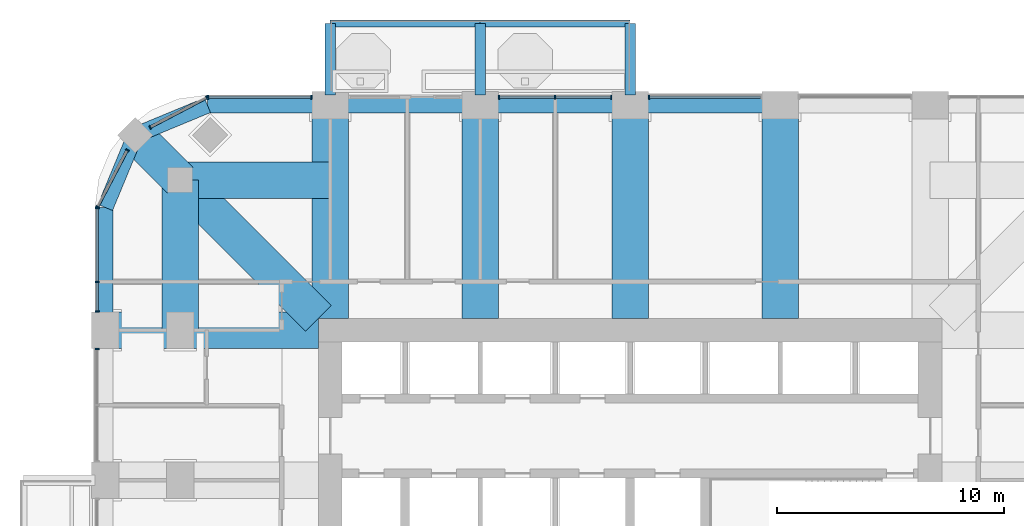
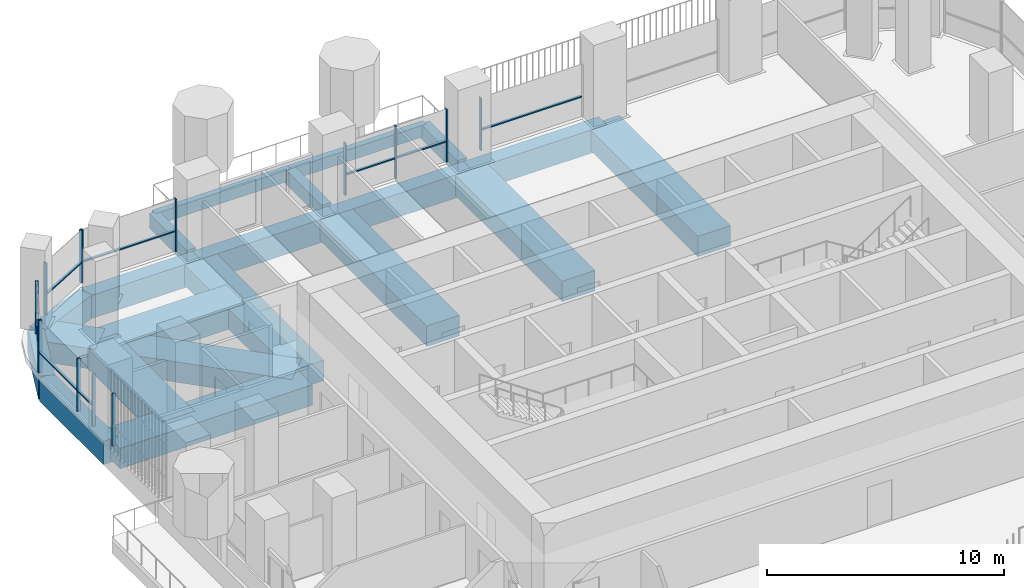
# One storey, part 6 of 20: 22 members, 21 beams, 7 elements without a shape of their own.
"""IFC4 building model written with IfcOpenShell, lengths in metres."""

from ifc_helpers import new_model, si_unit, direction, frame, origin, origin_2d, place, context, subcontext, project, spatial, rectangle, extrude, material, material_profile, profile_set, type_object, element, aggregate, save


model = new_model("IFC4")

# Units and contexts
model_context = context("Model", 3, precision=1e-05, world=origin(), true_north=direction((0.0, 1.0)))
body_context = subcontext(model_context, "Body", "Model", "MODEL_VIEW")
ifc_project = project(units=[si_unit("LENGTHUNIT", "METRE"), si_unit("AREAUNIT", "SQUARE_METRE"), si_unit("VOLUMEUNIT", "CUBIC_METRE"), si_unit("PLANEANGLEUNIT", "RADIAN"), si_unit("MASSUNIT", "GRAM", prefix="KILO")], contexts=[model_context])

# Site, building, storey
site_placement = place(None, origin())
site = spatial("IfcSite", under=ifc_project, at=site_placement, CompositionType="ELEMENT")
building_placement = place(site_placement, origin())
building = spatial("IfcBuilding", under=site, at=building_placement, Name="Cobogo Forest Laboratory Tower", CompositionType="ELEMENT")
storey_placement = place(building_placement, frame((0.0, 0.0, 201.89990234375)))
storey = spatial("IfcBuildingStorey", under=building, at=storey_placement, Name="L46", CompositionType="ELEMENT", Elevation=201.89990234375)

# Beams
ifc_material_1 = material(Name="Concrete HA-40 (C40/50)", Category="concrete")
ifc_material_profile_1 = material_profile(ifc_material_1, rectangle(XDim=0.449951171875, YDim=0.75, at=origin_2d()), Name="RC 450x750")
ifc_profile_set_1 = profile_set([ifc_material_profile_1], Name="Concrete HA-40 (C40/50)")
beam_type_1 = type_object("IfcBeamType", Name="Balcony cantilever beam 450x750", PredefinedType="BEAM", material=ifc_profile_set_1)
for number, where, z_axis, x_axis, name in (
    (1, (13.199951171875, 43.35009765625, -0.625), (0.0, 1.0, 0.0), (-1.0, 0.0, 0.0), "CB1 BAL-N1-C1 L46"),
    (2, (19.800048828125, 43.35009765625, -0.625), (0.0, 1.0, 0.0), (-1.0, 0.0, 0.0), "CB1 BAL-N1-C2 L46"),
    (3, (26.39990234375, 43.35009765625, -0.625), (0.0, 1.0, 0.0), (-1.0, 0.0, 0.0), "CB1 BAL-N1-C3 L46"),
):
    element("IfcBeam", number, at=place(storey_placement, frame(where, z_axis=z_axis, x_axis=x_axis)), inside=storey, type_object=beam_type_1, Name=name, PredefinedType="BEAM", context=body_context, shape_type="SweptSolid", body=[
        extrude(rectangle(XDim=0.449951171875, YDim=0.75, at=origin_2d()), origin(), (0.0, 0.0, 1.0), 3.14990234375),
    ])
ifc_material_profile_2 = material_profile(ifc_material_1, rectangle(XDim=0.300048828125, YDim=0.60009765625, at=origin_2d()), Name="RC 300x600")
ifc_profile_set_2 = profile_set([ifc_material_profile_2], Name="Concrete HA-40 (C40/50)")
beam_type_2 = type_object("IfcBeamType", Name="Balcony edge beam 300x600", PredefinedType="BEAM", material=ifc_profile_set_2)
beam_1_placement = place(storey_placement, frame((13.199951171875, 46.5, -0.5498046875), z_axis=(1.0, 0.0, 0.0), x_axis=(0.0, 1.0, 0.0)))
element("IfcBeam", 4, at=beam_1_placement, inside=storey, type_object=beam_type_2, Name="BB1 BAL-N1-T1 L46", PredefinedType="BEAM", context=body_context, shape_type="SweptSolid", body=[
    extrude(rectangle(XDim=0.300048828125, YDim=0.60009765625, at=origin_2d()), origin(), (0.0, 0.0, 1.0), 6.60009765625),
])
beam_2_placement = place(storey_placement, frame((19.800048828125, 46.5, -0.5498046875), z_axis=(1.0, 0.0, 0.0), x_axis=(0.0, 1.0, 0.0)))
element("IfcBeam", 5, at=beam_2_placement, inside=storey, type_object=beam_type_2, Name="BB1 BAL-N1-T2 L46", PredefinedType="BEAM", context=body_context, shape_type="SweptSolid", body=[
    extrude(rectangle(XDim=0.300048828125, YDim=0.60009765625, at=origin_2d()), origin(), (0.0, 0.0, 1.0), 6.599853515625),
])
ifc_material_2 = material(Name="Concrete HA-50 (C50/60)", Category="concrete")
ifc_material_profile_3 = material_profile(ifc_material_2, rectangle(XDim=1.60009765625, YDim=1.050048828125, at=origin_2d()), Name="RC 1600x1050")
ifc_profile_set_3 = profile_set([ifc_material_profile_3], Name="Concrete HA-50 (C50/60)")
beam_type_3 = type_object("IfcBeamType", Name="Laboratory floor wide beam 1600x1050", PredefinedType="BEAM", material=ifc_profile_set_3)
for number, where, z_axis, x_axis, name in (
    (6, (13.199951171875, 33.52490234375, -0.824951171875), (0.0, 1.0, 0.0), (-1.0, 0.0, 0.0), "RB8 R-3-N L46"),
    (7, (19.800048828125, 33.52490234375, -0.824951171875), (0.0, 1.0, 0.0), (-1.0, 0.0, 0.0), "RB8 R-4-N L46"),
    (8, (26.39990234375, 33.52490234375, -0.824951171875), (0.0, 1.0, 0.0), (-1.0, 0.0, 0.0), "RB8 R-5-N L46"),
    (9, (33.0, 33.52490234375, -0.824951171875), (0.0, 1.0, 0.0), (-1.0, 0.0, 0.0), "RB8 R-6-N L46"),
    (10, (12.675048828125, 33.0, -0.824951171875), (-1.0, 0.0, 0.0), (0.0, -1.0, 0.0), "RB8 R-F-W L46"),
):
    element("IfcBeam", number, at=place(storey_placement, frame(where, z_axis=z_axis, x_axis=x_axis)), inside=storey, type_object=beam_type_3, Name=name, PredefinedType="BEAM", context=body_context, shape_type="SweptSolid", body=[
        extrude(rectangle(XDim=1.60009765625, YDim=1.050048828125, at=origin_2d()), origin(), (0.0, 0.0, 1.0), 9.375),
    ])
beam_3_placement = place(storey_placement, frame((6.60009765625, 39.60009765625, -0.824951171875), z_axis=(0.0, -1.0, 0.0), x_axis=(1.0, 0.0, 0.0)))
element("IfcBeam", 11, at=beam_3_placement, inside=storey, type_object=beam_type_3, Name="RB8 G-NW-XC L46", PredefinedType="BEAM", context=body_context, shape_type="SweptSolid", body=[
    extrude(rectangle(XDim=1.60009765625, YDim=1.050048828125, at=origin_2d()), origin(), (0.0, 0.0, 1.0), 6.60009765625),
])
beam_4_placement = place(storey_placement, frame((6.60009765625, 39.60009765625, -0.824951171875), z_axis=(1.0, 0.0, 0.0), x_axis=(0.0, 1.0, 0.0)))
element("IfcBeam", 12, at=beam_4_placement, inside=storey, type_object=beam_type_3, Name="RB8 G-NW-YC L46", PredefinedType="BEAM", context=body_context, shape_type="SweptSolid", body=[
    extrude(rectangle(XDim=1.60009765625, YDim=1.050048828125, at=origin_2d()), origin(), (0.0, 0.0, 1.0), 6.599853515625),
])
beam_5_placement = place(storey_placement, frame((4.617919921875, 41.58203125, -0.824951171875), z_axis=(0.707150328948, -0.707063230743, 0.0), x_axis=(0.707063230743, 0.707150328948, 0.0)))
element("IfcBeam", 13, at=beam_5_placement, inside=storey, type_object=beam_type_3, Name="RB8 G-NW-D1 L46", PredefinedType="BEAM", context=body_context, shape_type="SweptSolid", body=[
    extrude(rectangle(XDim=1.60009765625, YDim=1.050048828125, at=origin_2d()), origin(), (0.0, 0.0, 1.0), 2.802978515625),
])
beam_6_placement = place(storey_placement, frame((6.60009765625, 39.60009765625, -0.824951171875), z_axis=(0.707092572697, -0.70712098939, 0.0), x_axis=(0.70712098939, 0.707092572697, 0.0)))
element("IfcBeam", 14, at=beam_6_placement, inside=storey, type_object=beam_type_3, Name="RB8 G-NW-D2 L46", PredefinedType="BEAM", context=body_context, shape_type="SweptSolid", body=[
    extrude(rectangle(XDim=1.60009765625, YDim=1.050048828125, at=origin_2d()), origin(), (0.0, 0.0, 1.0), 8.591552734375),
])

# Curtain wall, member
ifc_material_3 = material(Name="Aluminium curtain wall", Category="aluminium")
curtain_wall_type = type_object("IfcCurtainWallType", Name="CW-2 unitised curtain wall, solar control glazing, laboratory floors zones C and D", PredefinedType="USERDEFINED", material=ifc_material_3)
curtain_wall_1_placement = place(storey_placement, origin())
curtain_wall_1 = element("IfcCurtainWall", 15, at=curtain_wall_1_placement, inside=storey, type_object=curtain_wall_type, Name="Curtain wall 18 L46", ObjectType="UNITISED CURTAIN WALL", PredefinedType="USERDEFINED")
ifc_material_4 = material(Name="Aluminium mullion", Category="aluminium")
ifc_material_profile_4 = material_profile(ifc_material_4, rectangle(XDim=0.06005859375, YDim=0.159912109375, at=origin_2d()), Name="AL 60x160")
ifc_profile_set_4 = profile_set([ifc_material_profile_4], Name="Aluminium mullion")
member_type_1 = type_object("IfcMemberType", Name="MU-1 aluminium mullion 60x160", PredefinedType="MULLION", material=ifc_profile_set_4)
member_1_placement = place(storey_placement, frame((27.22998046875, 43.25, 0.0), z_axis=(0.0, 0.0, 1.0), x_axis=(-1.0, 0.0, 0.0)))
member_1 = element("IfcMember", 16, at=member_1_placement, type_object=member_type_1, Name="CW-2 mullion 2", PredefinedType="MULLION", context=body_context, shape_type="SweptSolid", body=[
    extrude(rectangle(XDim=0.06005859375, YDim=0.159912109375, at=origin_2d()), origin(), (0.0, 0.0, 1.0), 2.7001953125),
])

# Curtain wall, members
curtain_wall_2_placement = place(storey_placement, origin())
curtain_wall_2 = element("IfcCurtainWall", 17, at=curtain_wall_2_placement, inside=storey, type_object=curtain_wall_type, Name="Curtain wall 19 L46", ObjectType="UNITISED CURTAIN WALL", PredefinedType="USERDEFINED")
member_2_placement = place(storey_placement, frame((25.570068359375, 43.25, 0.0), z_axis=(0.0, 0.0, 1.0), x_axis=(-1.0, 0.0, 0.0)))
member_2 = element("IfcMember", 18, at=member_2_placement, type_object=member_type_1, Name="CW-2 mullion 1", PredefinedType="MULLION", context=body_context, shape_type="SweptSolid", body=[
    extrude(rectangle(XDim=0.06005859375, YDim=0.159912109375, at=origin_2d()), origin(), (0.0, 0.0, 1.0), 2.7001953125),
])
member_3_placement = place(storey_placement, frame((23.10009765625, 43.25, 0.0), z_axis=(0.0, 0.0, 1.0), x_axis=(-1.0, 0.0, 0.0)))
member_3 = element("IfcMember", 19, at=member_3_placement, type_object=member_type_1, Name="CW-2 mullion 2", PredefinedType="MULLION", context=body_context, shape_type="SweptSolid", body=[
    extrude(rectangle(XDim=0.06005859375, YDim=0.159912109375, at=origin_2d()), origin(), (0.0, 0.0, 1.0), 2.7001953125),
])
member_4_placement = place(storey_placement, frame((20.6298828125, 43.25, 0.0), z_axis=(0.0, 0.0, 1.0), x_axis=(-1.0, 0.0, 0.0)))
member_4 = element("IfcMember", 20, at=member_4_placement, type_object=member_type_1, Name="CW-2 mullion 3", PredefinedType="MULLION", context=body_context, shape_type="SweptSolid", body=[
    extrude(rectangle(XDim=0.06005859375, YDim=0.159912109375, at=origin_2d()), origin(), (0.0, 0.0, 1.0), 2.7001953125),
])

curtain_wall_3_placement = place(storey_placement, origin())
curtain_wall_3 = element("IfcCurtainWall", 21, at=curtain_wall_3_placement, inside=storey, type_object=curtain_wall_type, Name="Curtain wall 21 L46", ObjectType="UNITISED CURTAIN WALL", PredefinedType="USERDEFINED")
member_5_placement = place(storey_placement, frame((12.3701171875, 43.25, 0.0), z_axis=(0.0, 0.0, 1.0), x_axis=(-1.0, 0.0, 0.0)))
member_5 = element("IfcMember", 22, at=member_5_placement, type_object=member_type_1, Name="CW-2 mullion 1", PredefinedType="MULLION", context=body_context, shape_type="SweptSolid", body=[
    extrude(rectangle(XDim=0.06005859375, YDim=0.159912109375, at=origin_2d()), origin(), (0.0, 0.0, 1.0), 2.7001953125),
])
member_6_placement = place(storey_placement, frame((7.830078125, 43.25, 0.0), z_axis=(0.0, 0.0, 1.0), x_axis=(-1.0, 0.0, 0.0)))
member_6 = element("IfcMember", 23, at=member_6_placement, type_object=member_type_1, Name="CW-2 mullion 2", PredefinedType="MULLION", context=body_context, shape_type="SweptSolid", body=[
    extrude(rectangle(XDim=0.06005859375, YDim=0.159912109375, at=origin_2d()), origin(), (0.0, 0.0, 1.0), 2.7001953125),
])

curtain_wall_4_placement = place(storey_placement, origin())
curtain_wall_4 = element("IfcCurtainWall", 24, at=curtain_wall_4_placement, inside=storey, type_object=curtain_wall_type, Name="Curtain wall 22 L46", ObjectType="UNITISED CURTAIN WALL", PredefinedType="USERDEFINED")
member_7_placement = place(storey_placement, frame((7.7734375, 43.236083984375, 0.0), z_axis=(0.0, 0.0, 1.0), x_axis=(-0.885686484356, -0.464283804832, 0.0)))
member_7 = element("IfcMember", 25, at=member_7_placement, type_object=member_type_1, Name="CW-2 mullion 1", PredefinedType="MULLION", context=body_context, shape_type="SweptSolid", body=[
    extrude(rectangle(XDim=0.06005859375, YDim=0.159912109375, at=origin_2d()), origin(), (0.0, 0.0, 1.0), 2.7001953125),
])
member_8_placement = place(storey_placement, frame((5.275634765625, 41.9267578125, 0.0), z_axis=(0.0, 0.0, 1.0), x_axis=(-0.885686484356, -0.464283804832, 0.0)))
member_8 = element("IfcMember", 26, at=member_8_placement, type_object=member_type_1, Name="CW-2 mullion 2", PredefinedType="MULLION", context=body_context, shape_type="SweptSolid", body=[
    extrude(rectangle(XDim=0.06005859375, YDim=0.159912109375, at=origin_2d()), origin(), (0.0, 0.0, 1.0), 2.7001953125),
])

curtain_wall_5_placement = place(storey_placement, origin())
curtain_wall_5 = element("IfcCurtainWall", 27, at=curtain_wall_5_placement, inside=storey, type_object=curtain_wall_type, Name="Curtain wall 23 L46", ObjectType="UNITISED CURTAIN WALL", PredefinedType="USERDEFINED")
member_9_placement = place(storey_placement, frame((4.2734375, 40.924560546875, 0.0), z_axis=(0.0, 0.0, 1.0), x_axis=(-0.464283804832, -0.885686484356, 0.0)))
member_9 = element("IfcMember", 28, at=member_9_placement, type_object=member_type_1, Name="CW-2 mullion 1", PredefinedType="MULLION", context=body_context, shape_type="SweptSolid", body=[
    extrude(rectangle(XDim=0.06005859375, YDim=0.159912109375, at=origin_2d()), origin(), (0.0, 0.0, 1.0), 2.7001953125),
])
member_10_placement = place(storey_placement, frame((2.9638671875, 38.426513671875, 0.0), z_axis=(0.0, 0.0, 1.0), x_axis=(-0.464283804832, -0.885686484356, 0.0)))
member_10 = element("IfcMember", 29, at=member_10_placement, type_object=member_type_1, Name="CW-2 mullion 2", PredefinedType="MULLION", context=body_context, shape_type="SweptSolid", body=[
    extrude(rectangle(XDim=0.06005859375, YDim=0.159912109375, at=origin_2d()), origin(), (0.0, 0.0, 1.0), 2.7001953125),
])

curtain_wall_6_placement = place(storey_placement, origin())
curtain_wall_6 = element("IfcCurtainWall", 30, at=curtain_wall_6_placement, inside=storey, type_object=curtain_wall_type, Name="Curtain wall 24 L46", ObjectType="UNITISED CURTAIN WALL", PredefinedType="USERDEFINED")
member_11_placement = place(storey_placement, frame((2.949951171875, 38.3701171875, 0.0), z_axis=(0.0, 0.0, 1.0), x_axis=(0.0, -1.0, 0.0)))
member_11 = element("IfcMember", 31, at=member_11_placement, type_object=member_type_1, Name="CW-2 mullion 1", PredefinedType="MULLION", context=body_context, shape_type="SweptSolid", body=[
    extrude(rectangle(XDim=0.06005859375, YDim=0.159912109375, at=origin_2d()), origin(), (0.0, 0.0, 1.0), 2.7001953125),
])
member_12_placement = place(storey_placement, frame((2.949951171875, 35.125, 0.0), z_axis=(0.0, 0.0, 1.0), x_axis=(0.0, -1.0, 0.0)))
member_12 = element("IfcMember", 32, at=member_12_placement, type_object=member_type_1, Name="CW-2 mullion 2", PredefinedType="MULLION", context=body_context, shape_type="SweptSolid", body=[
    extrude(rectangle(XDim=0.06005859375, YDim=0.159912109375, at=origin_2d()), origin(), (0.0, 0.0, 1.0), 2.7001953125),
])
member_13_placement = place(storey_placement, frame((2.949951171875, 33.830078125, 0.0), z_axis=(0.0, 0.0, 1.0), x_axis=(0.0, -1.0, 0.0)))
member_13 = element("IfcMember", 33, at=member_13_placement, type_object=member_type_1, Name="CW-2 mullion 3", PredefinedType="MULLION", context=body_context, shape_type="SweptSolid", body=[
    extrude(rectangle(XDim=0.06005859375, YDim=0.159912109375, at=origin_2d()), origin(), (0.0, 0.0, 1.0), 2.7001953125),
])

# Curtain wall, member
curtain_wall_7_placement = place(storey_placement, origin())
curtain_wall_7 = element("IfcCurtainWall", 34, at=curtain_wall_7_placement, inside=storey, type_object=curtain_wall_type, Name="Curtain wall 25 L46", ObjectType="UNITISED CURTAIN WALL", PredefinedType="USERDEFINED")
member_14_placement = place(storey_placement, frame((2.949951171875, 32.169921875, 0.0), z_axis=(0.0, 0.0, 1.0), x_axis=(0.0, -1.0, 0.0)))
member_14 = element("IfcMember", 35, at=member_14_placement, type_object=member_type_1, Name="CW-2 mullion 1", PredefinedType="MULLION", context=body_context, shape_type="SweptSolid", body=[
    extrude(rectangle(XDim=0.06005859375, YDim=0.159912109375, at=origin_2d()), origin(), (0.0, 0.0, 1.0), 2.7001953125),
])
aggregate(curtain_wall_7, [member_14])

# Beams
ifc_material_profile_5 = material_profile(ifc_material_1, rectangle(XDim=0.699951171875, YDim=1.199951171875, at=origin_2d()), Name="RC 700x1200")
ifc_profile_set_5 = profile_set([ifc_material_profile_5], Name="Concrete HA-40 (C40/50)")
beam_type_4 = type_object("IfcBeamType", Name="Perimeter edge beam 700x1200", PredefinedType="BEAM", material=ifc_profile_set_5)
beam_7_placement = place(storey_placement, frame((13.199951171875, 42.89990234375, -0.89990234375), z_axis=(1.0, 0.0, 0.0), x_axis=(0.0, 1.0, 0.0)))
element("IfcBeam", 36, at=beam_7_placement, inside=storey, type_object=beam_type_4, Name="EB1 E-N1 L46", PredefinedType="BEAM", context=body_context, shape_type="SweptSolid", body=[
    extrude(rectangle(XDim=0.699951171875, YDim=1.199951171875, at=origin_2d()), origin(), (0.0, 0.0, 1.0), 6.60009765625),
])
beam_8_placement = place(storey_placement, frame((19.800048828125, 42.89990234375, -0.89990234375), z_axis=(1.0, 0.0, 0.0), x_axis=(0.0, 1.0, 0.0)))
element("IfcBeam", 37, at=beam_8_placement, inside=storey, type_object=beam_type_4, Name="EB1 E-N2 L46", PredefinedType="BEAM", context=body_context, shape_type="SweptSolid", body=[
    extrude(rectangle(XDim=0.699951171875, YDim=1.199951171875, at=origin_2d()), origin(), (0.0, 0.0, 1.0), 6.599853515625),
])
beam_9_placement = place(storey_placement, frame((26.39990234375, 42.89990234375, -0.89990234375), z_axis=(1.0, 0.0, 0.0), x_axis=(0.0, 1.0, 0.0)))
element("IfcBeam", 38, at=beam_9_placement, inside=storey, type_object=beam_type_4, Name="EB1 E-N3 L46", PredefinedType="BEAM", context=body_context, shape_type="SweptSolid", body=[
    extrude(rectangle(XDim=0.699951171875, YDim=1.199951171875, at=origin_2d()), origin(), (0.0, 0.0, 1.0), 6.60009765625),
])
beam_10_placement = place(storey_placement, frame((13.199951171875, 42.89990234375, -0.89990234375), z_axis=(-1.0, 0.0, 0.0), x_axis=(0.0, -1.0, 0.0)))
element("IfcBeam", 39, at=beam_10_placement, inside=storey, type_object=beam_type_4, Name="EB1 E-NWN1 L46", PredefinedType="BEAM", context=body_context, shape_type="SweptSolid", body=[
    extrude(rectangle(XDim=0.699951171875, YDim=1.199951171875, at=origin_2d()), origin(), (0.0, 0.0, 1.0), 5.39990234375),
])
beam_11_placement = place(storey_placement, frame((7.800048828125, 42.89990234375, -0.89990234375), z_axis=(-0.923901072997, -0.382631424892, 0.0), x_axis=(0.382631424892, -0.923901072997, 0.0)))
element("IfcBeam", 40, at=beam_11_placement, inside=storey, type_object=beam_type_4, Name="EB1 E-NWN2 L46", PredefinedType="BEAM", context=body_context, shape_type="SweptSolid", body=[
    extrude(rectangle(XDim=0.699951171875, YDim=1.199951171875, at=origin_2d()), origin(), (0.0, 0.0, 1.0), 3.4443359375),
])
beam_12_placement = place(storey_placement, frame((3.300048828125, 33.0, -0.89990234375), z_axis=(0.0, 1.0, 0.0), x_axis=(-1.0, 0.0, 0.0)))
element("IfcBeam", 41, at=beam_12_placement, inside=storey, type_object=beam_type_4, Name="EB1 E-NWW1 L46", PredefinedType="BEAM", context=body_context, shape_type="SweptSolid", body=[
    extrude(rectangle(XDim=0.699951171875, YDim=1.199951171875, at=origin_2d()), origin(), (0.0, 0.0, 1.0), 5.39990234375),
])
beam_13_placement = place(storey_placement, frame((3.300048828125, 38.39990234375, -0.89990234375), z_axis=(0.382631424892, 0.923901072997, 0.0), x_axis=(-0.923901072997, 0.382631424892, 0.0)))
element("IfcBeam", 42, at=beam_13_placement, inside=storey, type_object=beam_type_4, Name="EB1 E-NWW2 L46", PredefinedType="BEAM", context=body_context, shape_type="SweptSolid", body=[
    extrude(rectangle(XDim=0.699951171875, YDim=1.199951171875, at=origin_2d()), origin(), (0.0, 0.0, 1.0), 3.4443359375),
])

# Member
ifc_material_5 = material(Name="Aluminium transom", Category="aluminium")
ifc_material_profile_6 = material_profile(ifc_material_5, rectangle(XDim=0.1201171875, YDim=0.06005859375, at=origin_2d()), Name="AL 60x120")
ifc_profile_set_6 = profile_set([ifc_material_profile_6], Name="Aluminium transom")
member_type_2 = type_object("IfcMemberType", Name="TR-1 aluminium transom 60x120", PredefinedType="USERDEFINED", material=ifc_profile_set_6)
member_15_placement = place(storey_placement, frame((32.139892578125, 43.25, 1.050048828125), z_axis=(-1.0, 0.0, 0.0), x_axis=(0.0, -1.0, 0.0)))
member_15 = element("IfcMember", 43, at=member_15_placement, type_object=member_type_2, Name="CW-2 transom 1.1", ObjectType="TRANSOM", PredefinedType="USERDEFINED", context=body_context, shape_type="SweptSolid", body=[
    extrude(rectangle(XDim=0.1201171875, YDim=0.06005859375, at=origin_2d()), origin(), (0.0, 0.0, 1.0), 4.8798828125),
])

aggregate(curtain_wall_1, [member_1, member_15])

member_16_placement = place(storey_placement, frame((25.5400390625, 43.25, 1.050048828125), z_axis=(-1.0, 0.0, 0.0), x_axis=(0.0, -1.0, 0.0)))
member_16 = element("IfcMember", 44, at=member_16_placement, type_object=member_type_2, Name="CW-2 transom 1.1", ObjectType="TRANSOM", PredefinedType="USERDEFINED", context=body_context, shape_type="SweptSolid", body=[
    extrude(rectangle(XDim=0.1201171875, YDim=0.06005859375, at=origin_2d()), origin(), (0.0, 0.0, 1.0), 2.41015625),
])

member_17_placement = place(storey_placement, frame((23.070068359375, 43.25, 1.050048828125), z_axis=(-1.0, 0.0, 0.0), x_axis=(0.0, -1.0, 0.0)))
member_17 = element("IfcMember", 45, at=member_17_placement, type_object=member_type_2, Name="CW-2 transom 2.1", ObjectType="TRANSOM", PredefinedType="USERDEFINED", context=body_context, shape_type="SweptSolid", body=[
    extrude(rectangle(XDim=0.1201171875, YDim=0.06005859375, at=origin_2d()), origin(), (0.0, 0.0, 1.0), 2.41015625),
])

aggregate(curtain_wall_2, [member_2, member_3, member_4, member_16, member_17])

member_18_placement = place(storey_placement, frame((12.340087890625, 43.25, 1.050048828125), z_axis=(-1.0, 0.0, 0.0), x_axis=(0.0, -1.0, 0.0)))
member_18 = element("IfcMember", 46, at=member_18_placement, type_object=member_type_2, Name="CW-2 transom 1.1", ObjectType="TRANSOM", PredefinedType="USERDEFINED", context=body_context, shape_type="SweptSolid", body=[
    extrude(rectangle(XDim=0.1201171875, YDim=0.06005859375, at=origin_2d()), origin(), (0.0, 0.0, 1.0), 4.47998046875),
])

aggregate(curtain_wall_3, [member_5, member_6, member_18])

member_19_placement = place(storey_placement, frame((7.746826171875, 43.22216796875, 1.050048828125), z_axis=(-0.88570166389, -0.464254846591, 0.0), x_axis=(0.464254846591, -0.88570166389, 0.0)))
member_19 = element("IfcMember", 47, at=member_19_placement, type_object=member_type_2, Name="CW-2 transom 1.1", ObjectType="TRANSOM", PredefinedType="USERDEFINED", context=body_context, shape_type="SweptSolid", body=[
    extrude(rectangle(XDim=0.1201171875, YDim=0.06005859375, at=origin_2d()), origin(), (0.0, 0.0, 1.0), 2.76025390625),
])

aggregate(curtain_wall_4, [member_7, member_8, member_19])

member_20_placement = place(storey_placement, frame((4.259521484375, 40.89794921875, 1.050048828125), z_axis=(-0.464324225592, -0.885665294301, 0.0), x_axis=(0.885665294301, -0.464324225592, 0.0)))
member_20 = element("IfcMember", 48, at=member_20_placement, type_object=member_type_2, Name="CW-2 transom 1.1", ObjectType="TRANSOM", PredefinedType="USERDEFINED", context=body_context, shape_type="SweptSolid", body=[
    extrude(rectangle(XDim=0.1201171875, YDim=0.06005859375, at=origin_2d()), origin(), (0.0, 0.0, 1.0), 2.760498046875),
])

aggregate(curtain_wall_5, [member_9, member_10, member_20])

member_21_placement = place(storey_placement, frame((2.949951171875, 38.340087890625, 1.050048828125), z_axis=(0.0, -1.0, 0.0), x_axis=(1.0, 0.0, 0.0)))
member_21 = element("IfcMember", 49, at=member_21_placement, type_object=member_type_2, Name="CW-2 transom 1.1", ObjectType="TRANSOM", PredefinedType="USERDEFINED", context=body_context, shape_type="SweptSolid", body=[
    extrude(rectangle(XDim=0.1201171875, YDim=0.06005859375, at=origin_2d()), origin(), (0.0, 0.0, 1.0), 3.18505859375),
])

member_22_placement = place(storey_placement, frame((2.949951171875, 35.094970703125, 1.050048828125), z_axis=(0.0, -1.0, 0.0), x_axis=(1.0, 0.0, 0.0)))
member_22 = element("IfcMember", 50, at=member_22_placement, type_object=member_type_2, Name="CW-2 transom 2.1", ObjectType="TRANSOM", PredefinedType="USERDEFINED", context=body_context, shape_type="SweptSolid", body=[
    extrude(rectangle(XDim=0.1201171875, YDim=0.06005859375, at=origin_2d()), origin(), (0.0, 0.0, 1.0), 1.23486328125),
])

aggregate(curtain_wall_6, [member_11, member_12, member_13, member_21, member_22])

save(model, "model.ifc")
